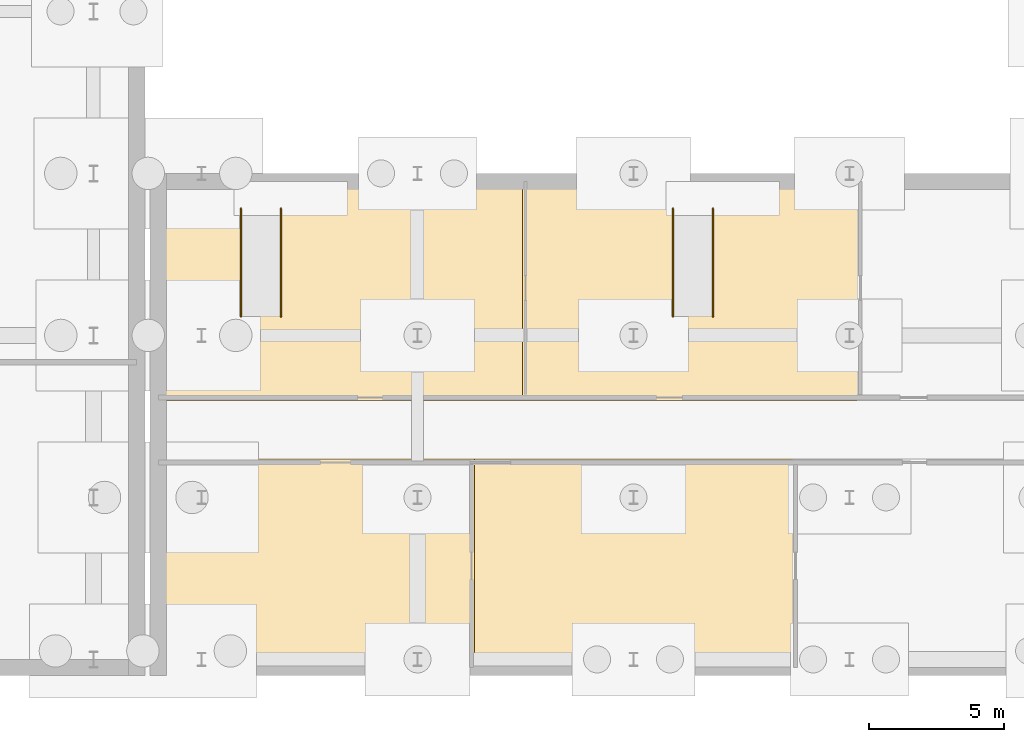
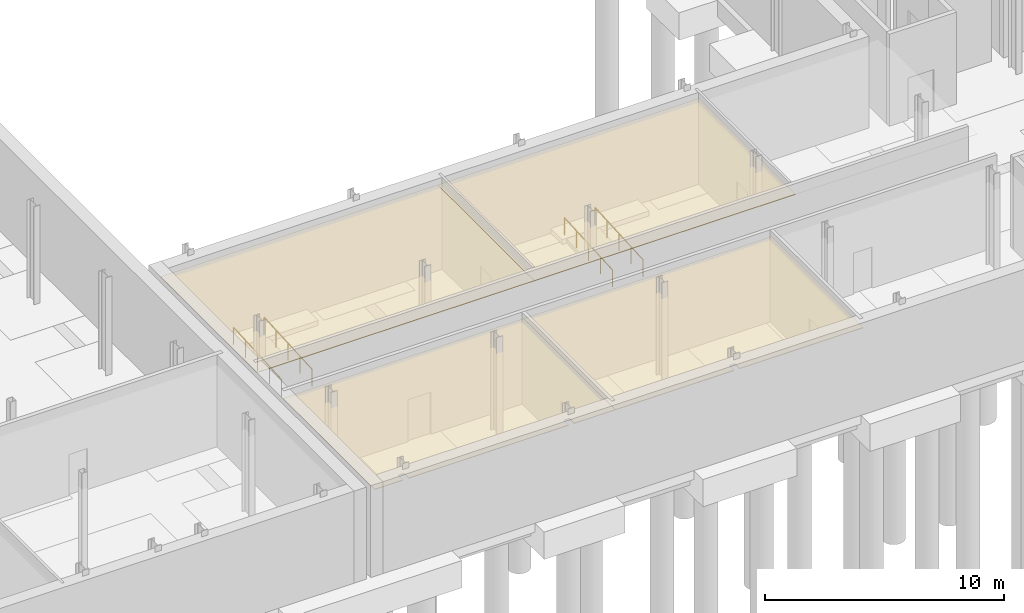
# One storey, part 39 of 47: 4 coverings, 4 railings.
"""IFC4 building model written with IfcOpenShell, lengths in metres."""

from ifc_helpers import new_model, si_unit, direction, frame, origin, origin_2d, place, context, subcontext, project, spatial, polyline, circle, outline, extrude, material, layer, layer_set, type_object, element, save


model = new_model("IFC4")

# Units and contexts
model_context = context("Model", 3, precision=1e-05, world=origin(), true_north=direction((0.0, 1.0)))
body_context = subcontext(model_context, "Body", "Model", "MODEL_VIEW")
ifc_project = project(units=[si_unit("LENGTHUNIT", "METRE"), si_unit("AREAUNIT", "SQUARE_METRE"), si_unit("VOLUMEUNIT", "CUBIC_METRE"), si_unit("PLANEANGLEUNIT", "RADIAN"), si_unit("MASSUNIT", "GRAM", prefix="KILO")], contexts=[model_context])

# Site, building, storey
site_placement = place(None, origin())
site = spatial("IfcSite", under=ifc_project, at=site_placement, CompositionType="ELEMENT")
building_placement = place(site_placement, origin())
building = spatial("IfcBuilding", under=site, at=building_placement, Name="Cymarion Research Institute", CompositionType="ELEMENT")
storey_placement = place(building_placement, frame((0.0, 0.0, -5.0)))
storey = spatial("IfcBuildingStorey", under=building, at=storey_placement, Name="B1", CompositionType="ELEMENT", Elevation=-5.0)

# Coverings
ifc_material_1 = material(Name="Micro-perforated mineral acoustic ceiling tile", Category="gypsum")
ifc_layer = layer(ifc_material_1, 0.030029296875)
ifc_layer_set = layer_set([ifc_layer], Name="Micro-perforated mineral acoustic ceiling tile")
covering_type = type_object("IfcCoveringType", Name="ACOUSTIC MICRO-PERFORATED SUSPENDED CEILING CLG-01", PredefinedType="CEILING", material=ifc_layer_set)
covering_1_placement = place(storey_placement, frame((0.0, 0.0, 4.14990234375)))
element("IfcCovering", 1, at=covering_1_placement, inside=storey, type_object=covering_type, Name="B1 Cryo-EM Isolation Vault acoustic ceiling", PredefinedType="CEILING", context=body_context, shape_type="SweptSolid", body=[
    extrude(outline(polyline([(116.715087890625, 12.9150390625), (116.715087890625, 5.235107421875), (114.735107421875, 5.235107421875), (114.735107421875, 5.635009765625), (114.465087890625, 5.635009765625), (114.465087890625, 5.235107421875), (106.735107421875, 5.235107421875), (106.735107421875, 5.635009765625), (106.465087890625, 5.635009765625), (106.465087890625, 5.235107421875), (105.0849609375, 5.235107421875), (105.0849609375, 12.9150390625), (116.715087890625, 12.9150390625)])), origin(), (0.0, 0.0, 1.0), 0.030029296875),
])
covering_2_placement = place(storey_placement, frame((0.0, 0.0, 4.14990234375)))
element("IfcCovering", 2, at=covering_2_placement, inside=storey, type_object=covering_type, Name="B1 Isotope & Mass Spectrometry Vault acoustic ceiling", PredefinedType="CEILING", context=body_context, shape_type="SweptSolid", body=[
    extrude(outline(polyline([(128.715087890625, 12.9150390625), (128.715087890625, 5.235107421875), (122.735107421875, 5.235107421875), (122.735107421875, 5.635009765625), (122.465087890625, 5.635009765625), (122.465087890625, 5.235107421875), (116.485107421875, 5.235107421875), (116.485107421875, 12.9150390625), (128.715087890625, 12.9150390625)])), origin(), (0.0, 0.0, 1.0), 0.030029296875),
])
covering_3_placement = place(storey_placement, frame((0.0, 0.0, 4.14990234375)))
element("IfcCovering", 3, at=covering_3_placement, inside=storey, type_object=covering_type, Name="B1 B1 Dry Researcher Write-Up Cluster West acoustic ceiling", PredefinedType="CEILING", context=body_context, shape_type="SweptSolid", body=[
    extrude(outline(polyline([(118.715087890625, 23.1650390625), (118.715087890625, 15.0849609375), (105.0849609375, 15.0849609375), (105.0849609375, 23.1650390625), (118.715087890625, 23.1650390625)])), origin(), (0.0, 0.0, 1.0), 0.030029296875),
])
covering_4_placement = place(storey_placement, frame((0.0, 0.0, 4.14990234375)))
element("IfcCovering", 4, at=covering_4_placement, inside=storey, type_object=covering_type, Name="B1 B1 Dry Researcher Write-Up Cluster East acoustic ceiling", PredefinedType="CEILING", context=body_context, shape_type="SweptSolid", body=[
    extrude(outline(polyline([(131.114990234375, 23.1650390625), (131.114990234375, 15.0849609375), (118.485107421875, 15.0849609375), (118.485107421875, 23.1650390625), (131.114990234375, 23.1650390625)])), origin(), (0.0, 0.0, 1.0), 0.030029296875),
])

# Railings
ifc_material_2 = material(Name="Steel S355", Category="steel")
railing_type = type_object("IfcRailingType", Name="STAINLESS STEEL RAMP HANDRAIL HR-RMP", PredefinedType="HANDRAIL", material=ifc_material_2)
for number, where, name in (
    (5, (108.06005859375, 18.199951171875, 0.02001953125), "Ramp R1 stainless handrail 1"),
    (6, (109.5400390625, 18.199951171875, 0.02001953125), "Ramp R1 stainless handrail 2"),
    (7, (124.06005859375, 18.199951171875, 0.02001953125), "Ramp R2 stainless handrail 1"),
    (8, (125.5400390625, 18.199951171875, 0.02001953125), "Ramp R2 stainless handrail 2"),
):
    element("IfcRailing", number, at=place(storey_placement, frame(where)), inside=storey, type_object=railing_type, Name=name, PredefinedType="HANDRAIL", context=body_context, shape_type="SweptSolid", body=[
        extrude(circle(Radius=0.02392578125, at=origin_2d()), frame((0.0, 0.0, 0.8759765625), z_axis=(0.0, 0.998351242335, 0.057400321672), x_axis=(-1.0, 0.0, 0.0)), (0.0, 0.0, 1.0), 4.006591796875),
        extrude(circle(Radius=0.02099609375, at=origin_2d()), origin(), (0.0, 0.0, 1.0), 0.851806640625),
        extrude(circle(Radius=0.02099609375, at=origin_2d()), frame((0.0, 1.0, 0.0576171875)), (0.0, 0.0, 1.0), 0.851806640625),
        extrude(circle(Radius=0.02099609375, at=origin_2d()), frame((0.0, 2.0, 0.114990234375)), (0.0, 0.0, 1.0), 0.851806640625),
        extrude(circle(Radius=0.02099609375, at=origin_2d()), frame((0.0, 3.0, 0.17236328125)), (0.0, 0.0, 1.0), 0.851806640625),
        extrude(circle(Radius=0.02099609375, at=origin_2d()), frame((0.0, 4.0, 0.22998046875)), (0.0, 0.0, 1.0), 0.851806640625),
    ])

save(model, "model.ifc")
